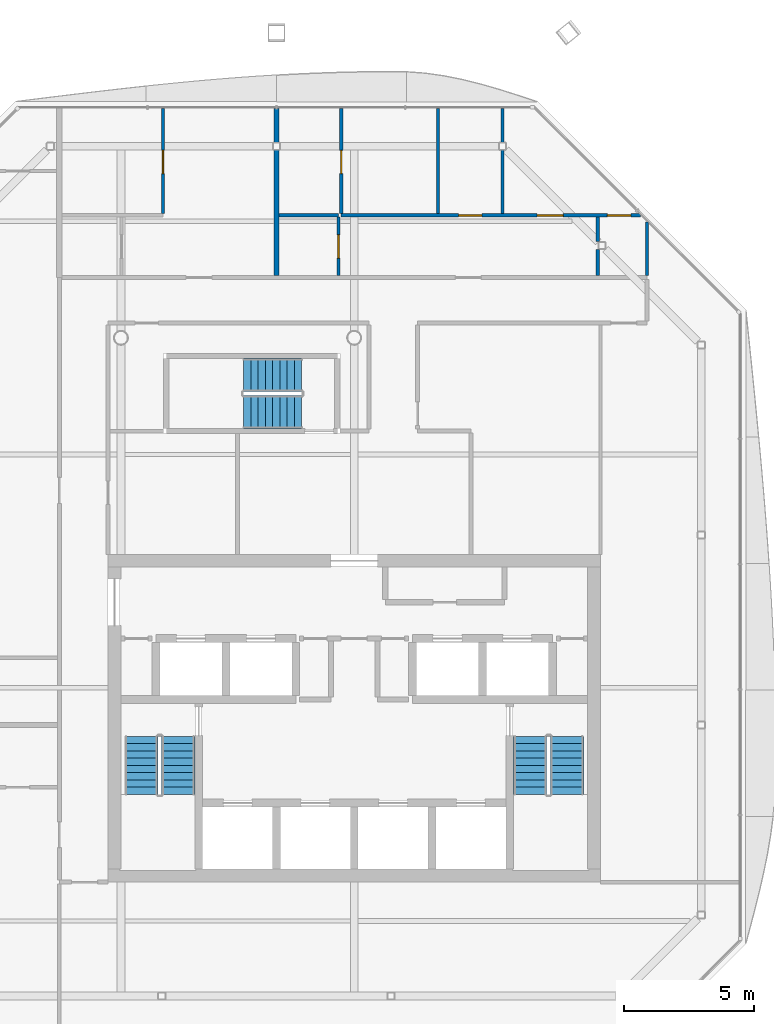
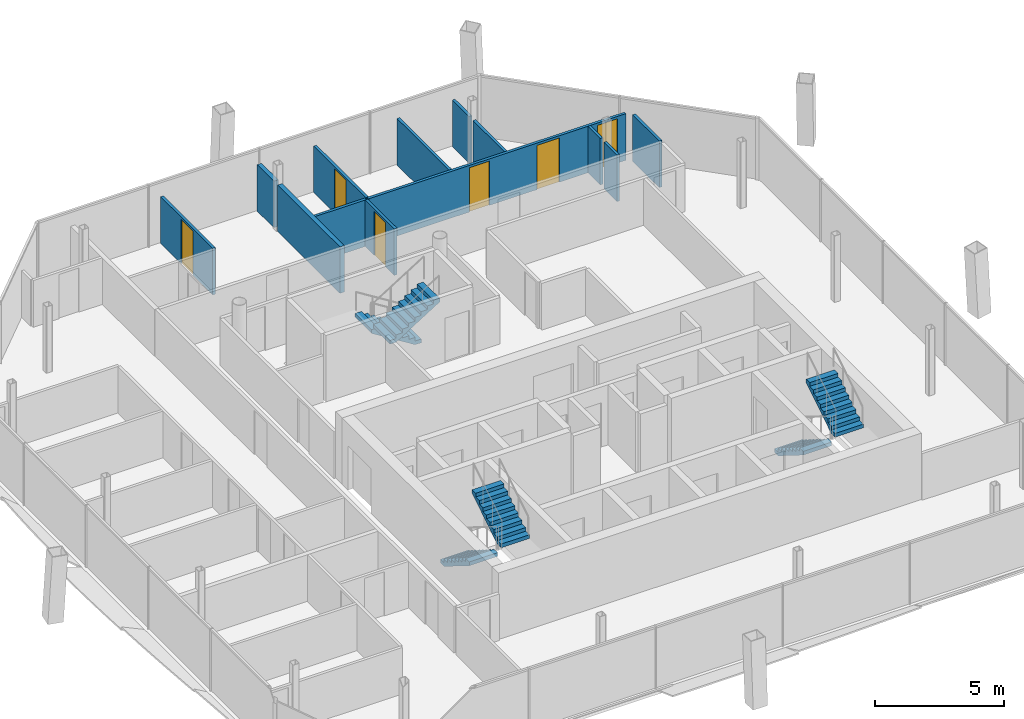
# One storey, part 12 of 15: 13 walls, 6 doors, 6 stair flights, 6 openings, 3 elements without a shape of their own.
"""IFC4 building model written with IfcOpenShell, lengths in metres."""

import ifcopenshell
import ifcopenshell.guid

model = None  # the IFC model being written
_history = None  # IfcOwnerHistory: only IFC2X3 demands one
_inside = {}  # id of a spatial element -> (the spatial element, [elements in it])
_under = {}  # id of a project, library or spatial element -> (it, [spatial elements below it])
_declared = {}  # id of a project -> (the project, [libraries it declares])
_typed = {}  # id of a type object -> (the type object, [elements of that type])
_made_of = {}  # id of a material, layer set ... -> (it, [elements and type objects made of it])


def new_model(schema):
    """Start an empty IFC model of exactly this schema.

    Asked for "IFC4X3", IfcOpenShell would pick the latest addendum, in which some entities
    have other attributes; the version numbers below select the first issue.
    IFC2X3 requires an IfcOwnerHistory on every rooted entity: one is made here for all.
    """
    global model, _history
    if schema == "IFC4X3":
        model = ifcopenshell.file(schema_version=(4, 3, 0, 0))
    else:
        model = ifcopenshell.file(schema=schema)
    _inside.clear()
    _under.clear()
    _declared.clear()
    _typed.clear()
    _made_of.clear()
    _history = None
    if model.schema == "IFC2X3":
        org = make("IfcOrganization", Name="unknown")
        user = make(
            "IfcPersonAndOrganization",
            ThePerson=make("IfcPerson", FamilyName="unknown"),
            TheOrganization=org,
        )
        app = make(
            "IfcApplication",
            ApplicationDeveloper=org,
            Version="unknown",
            ApplicationFullName="unknown",
            ApplicationIdentifier="unknown",
        )
        _history = make(
            "IfcOwnerHistory",
            OwningUser=user,
            OwningApplication=app,
            ChangeAction="ADDED",
            CreationDate=0,
        )
    return model


def make(cls, **values):
    """One entity of the class cls with the attributes given. An attribute that is None is left unset."""
    return model.create_entity(
        cls, **{name: value for name, value in values.items() if value is not None}
    )


def rooted(cls, **values):
    """An entity with a GlobalId (a new one), such as an element, a storey or a relation."""
    return make(cls, GlobalId=ifcopenshell.guid.new(), OwnerHistory=_history, **values)


def si_unit(unit_type, name, prefix=None):
    """IfcSIUnit, for example si_unit("LENGTHUNIT", "METRE", prefix="MILLI")."""
    return make("IfcSIUnit", UnitType=unit_type, Prefix=prefix, Name=name)


def assignment(units):
    """IfcUnitAssignment: the units of a project."""
    return None if units is None else make("IfcUnitAssignment", Units=units)


def point(xyz):
    """IfcCartesianPoint."""
    return None if xyz is None else make("IfcCartesianPoint", Coordinates=xyz)


def direction(xyz):
    """IfcDirection."""
    return None if xyz is None else make("IfcDirection", DirectionRatios=xyz)


def frame(location, z_axis=None, x_axis=None):
    """IfcAxis2Placement3D, a coordinate frame: its origin and axes. An axis left out is left unset."""
    return make(
        "IfcAxis2Placement3D",
        Location=point(location),
        Axis=direction(z_axis),
        RefDirection=direction(x_axis),
    )


def frame_2d(location, x_axis=None):
    """IfcAxis2Placement2D, a coordinate frame in the plane: its origin and x axis."""
    return make(
        "IfcAxis2Placement2D", Location=point(location), RefDirection=direction(x_axis)
    )


def origin():
    """The frame at (0, 0, 0) with its axes left unset."""
    return frame((0.0, 0.0, 0.0))


def place(relative_to, where):
    """IfcLocalPlacement: puts the frame where relative to a parent placement (None: the world)."""
    return make(
        "IfcLocalPlacement", PlacementRelTo=relative_to, RelativePlacement=where
    )


def context(
    kind, dimensions, precision=None, world=None, true_north=None, identifier=None
):
    """IfcGeometricRepresentationContext, for example the 3D "Model" context."""
    return make(
        "IfcGeometricRepresentationContext",
        ContextIdentifier=identifier,
        ContextType=kind,
        CoordinateSpaceDimension=dimensions,
        Precision=precision,
        WorldCoordinateSystem=world,
        TrueNorth=true_north,
    )


def subcontext(parent, identifier, kind, view, scale=None):
    """IfcGeometricRepresentationSubContext, for example "Body" below "Model"."""
    return make(
        "IfcGeometricRepresentationSubContext",
        ContextIdentifier=identifier,
        ContextType=kind,
        ParentContext=parent,
        TargetScale=scale,
        TargetView=view,
    )


def project(units=None, contexts=None):
    """IfcProject with its units and contexts."""
    return rooted(
        "IfcProject",
        Name="project",
        RepresentationContexts=contexts,
        UnitsInContext=assignment(units),
    )


def spatial(cls, under=None, at=None, **own):
    """A site, building, storey or space (cls), placed at a placement, below another one or the project."""
    s = rooted(cls, ObjectPlacement=at, **own)
    if under is not None:
        _under.setdefault(under.id(), (under, []))[1].append(s)
    return s


def polyline(points):
    """IfcPolyline through the points."""
    return make("IfcPolyline", Points=[point(p) for p in points])


def profile(cls, at=None, kind="AREA", **sizes):
    """A parametric profile (cls). Its sizes go by their IFC names, for example OverallWidth=200.0."""
    return make(cls, ProfileType=kind, Position=at, **sizes)


def rectangle(**sizes):
    """IfcRectangleProfileDef."""
    return profile("IfcRectangleProfileDef", **sizes)


def outline(outer, holes=None, kind="AREA"):
    """IfcArbitraryClosedProfileDef: a profile drawn as a closed curve; with holes, ...WithVoids."""
    if holes is None:
        return make("IfcArbitraryClosedProfileDef", ProfileType=kind, OuterCurve=outer)
    return make(
        "IfcArbitraryProfileDefWithVoids",
        ProfileType=kind,
        OuterCurve=outer,
        InnerCurves=holes,
    )


def extrude(swept, where, along, depth):
    """IfcExtrudedAreaSolid: the profile swept, set in the frame where, extruded along a direction by depth."""
    return make(
        "IfcExtrudedAreaSolid",
        SweptArea=swept,
        Position=where,
        ExtrudedDirection=direction(along),
        Depth=depth,
    )


def shape(context_of_items, identifier, shape_type, items):
    """IfcShapeRepresentation: the items that make up one representation, for example the "Body"."""
    return make(
        "IfcShapeRepresentation",
        ContextOfItems=context_of_items,
        RepresentationIdentifier=identifier,
        RepresentationType=shape_type,
        Items=items,
    )


def material(Name=None, Category=None):
    """IfcMaterial."""
    return make("IfcMaterial", Name=Name, Category=Category)


def layer(
    of_material, thickness, ventilated=None, Name=None, Category=None, Priority=None
):
    """IfcMaterialLayer: one layer of a wall or slab, of a material (None: an air gap)."""
    return make(
        "IfcMaterialLayer",
        Material=of_material,
        LayerThickness=thickness,
        IsVentilated=ventilated,
        Name=Name,
        Category=Category,
        Priority=Priority,
    )


def layer_set(layers, Name=None):
    """IfcMaterialLayerSet."""
    return make("IfcMaterialLayerSet", MaterialLayers=layers, LayerSetName=Name)


def made_of(thing, what):
    """Note that an element or type object is made of a material, layer set ...; save() writes the relation."""
    if what is not None:
        _made_of.setdefault(what.id(), (what, []))[1].append(thing)
    return thing


def type_object(cls, material=None, **own):
    """A type object (cls), such as IfcWallType, which elements share."""
    return made_of(rooted(cls, **own), material)


def element(
    cls,
    number,
    at=None,
    inside=None,
    cuts=None,
    type_object=None,
    material=None,
    context=None,
    identifier="Body",
    shape_type=None,
    held_by="IfcProductDefinitionShape",
    body=None,
    shapes=None,
    **own,
):
    """One element of the class cls, such as IfcWall. Its Tag is "e" and its number.

    at: its placement. inside: the storey or other place that contains it. cuts: it is an
    opening in that element (IfcRelVoidsElement). A single representation is given by context,
    identifier, shape_type and body (its items); several are given by shapes. held_by: the class
    of the entity that holds the representations. save() writes the other relations.
    """
    e = rooted(cls, Tag="e%d" % number, ObjectPlacement=at, **own)
    if body is not None:
        shapes = [shape(context, identifier, shape_type, body)]
    if shapes is not None:
        e.Representation = make(held_by, Representations=shapes)
    if inside is not None:
        _inside.setdefault(inside.id(), (inside, []))[1].append(e)
    if cuts is not None:
        rooted(
            "IfcRelVoidsElement", RelatingBuildingElement=cuts, RelatedOpeningElement=e
        )
    if type_object is not None:
        _typed.setdefault(type_object.id(), (type_object, []))[1].append(e)
    return made_of(e, material)


def fill(opening, filler):
    """IfcRelFillsElement: the door or window that sits in an opening."""
    return rooted(
        "IfcRelFillsElement",
        RelatingOpeningElement=opening,
        RelatedBuildingElement=filler,
    )


def aggregate(whole, parts):
    """IfcRelAggregates: a whole, such as a stair, and the parts it consists of."""
    return rooted("IfcRelAggregates", RelatingObject=whole, RelatedObjects=parts)


def save(model, path):
    """Write the relations noted so far, then the file.

    IfcRelAggregates (storeys below a building ...), IfcRelContainedInSpatialStructure (elements
    in a storey), IfcRelDefinesByType, IfcRelAssociatesMaterial and IfcRelDeclares: one each for
    every whole, place, type object, material and project.
    """
    for whole, parts in _under.values():
        aggregate(whole, parts)
    for where, things in _inside.values():
        rooted(
            "IfcRelContainedInSpatialStructure",
            RelatedElements=things,
            RelatingStructure=where,
        )
    for kind, things in _typed.values():
        rooted("IfcRelDefinesByType", RelatedObjects=things, RelatingType=kind)
    for what, things in _made_of.values():
        rooted("IfcRelAssociatesMaterial", RelatedObjects=things, RelatingMaterial=what)
    for by, libraries in _declared.values():
        rooted("IfcRelDeclares", RelatingContext=by, RelatedDefinitions=libraries)
    model.write(path)


model = new_model("IFC4")

# Units and contexts
model_context = context("Model", 3, precision=1e-05, world=origin(), true_north=direction((0.0, 1.0)))
body_context = subcontext(model_context, "Body", "Model", "MODEL_VIEW")
ifc_project = project(units=[si_unit("LENGTHUNIT", "METRE"), si_unit("AREAUNIT", "SQUARE_METRE"), si_unit("VOLUMEUNIT", "CUBIC_METRE"), si_unit("PLANEANGLEUNIT", "RADIAN"), si_unit("MASSUNIT", "GRAM", prefix="KILO")], contexts=[model_context])

# Site, building, storey
site_placement = place(None, origin())
site = spatial("IfcSite", under=ifc_project, at=site_placement, CompositionType="ELEMENT")
building_placement = place(site_placement, origin())
building = spatial("IfcBuilding", under=site, at=building_placement, Name="Tskaro Facet Tower", CompositionType="ELEMENT")
storey_placement = place(building_placement, frame((0.0, 0.0, 239.25)))
storey = spatial("IfcBuildingStorey", under=building, at=storey_placement, Name="L62", CompositionType="ELEMENT", Elevation=239.25)

# Wall
ifc_material_1 = material(Name="Gypsum board on steel studs", Category="steel")
ifc_layer_1 = layer(ifc_material_1, 0.125, Name="Gypsum board on steel studs")
ifc_layer_set_1 = layer_set([ifc_layer_1], Name="Gypsum board on steel studs")
wall_type_1 = type_object("IfcWallType", Name="PART", PredefinedType="PARTITIONING", material=ifc_layer_set_1)
wall_1_placement = place(storey_placement, frame((-2.89990234375, 13.72509765625, 0.0), z_axis=(0.0, 0.0, 1.0), x_axis=(1.0, 0.0, 0.0)))
element("IfcWall", 1, at=wall_1_placement, inside=storey, type_object=wall_type_1, Name="Partition W036", PredefinedType="PARTITIONING", context=body_context, shape_type="SweptSolid", body=[
    extrude(rectangle(XDim=2.2998046875, YDim=0.125, at=frame_2d((1.14990234375, 0.0))), origin(), (0.0, 0.0, 1.0), 2.2099609375),
])

# Wall, openings, doors
wall_2_placement = place(storey_placement, frame((-0.5, 13.72509765625, 0.0), z_axis=(0.0, 0.0, 1.0), x_axis=(1.0, 0.0, 0.0)))
wall_2 = element("IfcWall", 2, at=wall_2_placement, inside=storey, type_object=wall_type_1, Name="Partition W037", PredefinedType="PARTITIONING", context=body_context, shape_type="SweptSolid", body=[
    extrude(rectangle(XDim=11.5419921875, YDim=0.125, at=frame_2d((5.77099609375, 0.0))), origin(), (0.0, 0.0, 1.0), 2.2099609375),
])
opening_1_placement = place(wall_2_placement, frame((4.530029296875, 0.0, 0.0)))
opening_1 = element("IfcOpeningElement", 3, at=opening_1_placement, cuts=wall_2, Name="Opening T18-D27", PredefinedType="OPENING", context=body_context, shape_type="SweptSolid", body=[
    extrude(rectangle(XDim=0.89990234375, YDim=2.10009765625, at=frame_2d((0.449951171875, 1.050048828125))), frame((0.0, 0.072509765625, 0.0), z_axis=(0.0, -1.0, 0.0), x_axis=(1.0, 0.0, 0.0)), (0.0, 0.0, 1.0), 0.14501953125),
])
opening_2_placement = place(wall_2_placement, frame((7.5625, 0.0, 0.0)))
opening_2 = element("IfcOpeningElement", 4, at=opening_2_placement, cuts=wall_2, Name="Opening T18-D28", PredefinedType="OPENING", context=body_context, shape_type="SweptSolid", body=[
    extrude(rectangle(XDim=1.0, YDim=2.10009765625, at=frame_2d((0.5, 1.050048828125))), frame((0.0, 0.072509765625, 0.0), z_axis=(0.0, -1.0, 0.0), x_axis=(1.0, 0.0, 0.0)), (0.0, 0.0, 1.0), 0.14501953125),
])
opening_3_placement = place(wall_2_placement, frame((10.27099609375, 0.0, 0.0)))
opening_3 = element("IfcOpeningElement", 5, at=opening_3_placement, cuts=wall_2, Name="Opening T18-D29", PredefinedType="OPENING", context=body_context, shape_type="SweptSolid", body=[
    extrude(rectangle(XDim=0.89990234375, YDim=2.10009765625, at=frame_2d((0.449951171875, 1.050048828125))), frame((0.0, 0.072509765625, 0.0), z_axis=(0.0, -1.0, 0.0), x_axis=(1.0, 0.0, 0.0)), (0.0, 0.0, 1.0), 0.14501953125),
])
ifc_material_2 = material(Name="Timber", Category="wood")
door_type_1 = type_object("IfcDoorType", Name="D-ROOM", OperationType="NOTDEFINED", PredefinedType="DOOR", material=ifc_material_2)
door_1_placement = place(opening_1_placement, origin())
door_1 = element("IfcDoor", 6, at=door_1_placement, inside=storey, type_object=door_type_1, Name="Door T18-D27", OperationType="SINGLE_SWING_LEFT", OverallHeight=2.10009765625, OverallWidth=0.89990234375, PredefinedType="DOOR", context=body_context, shape_type="SweptSolid", body=[
    extrude(rectangle(XDim=0.89990234375, YDim=2.10009765625, at=frame_2d((0.449951171875, 1.050048828125))), frame((0.0, 0.02490234375, 0.0), z_axis=(0.0, -1.0, 0.0), x_axis=(1.0, 0.0, 0.0)), (0.0, 0.0, 1.0), 0.050048828125),
])
fill(opening_1, door_1)
door_2_placement = place(opening_3_placement, origin())
door_2 = element("IfcDoor", 7, at=door_2_placement, inside=storey, type_object=door_type_1, Name="Door T18-D29", OperationType="SINGLE_SWING_LEFT", OverallHeight=2.10009765625, OverallWidth=0.89990234375, PredefinedType="DOOR", context=body_context, shape_type="SweptSolid", body=[
    extrude(rectangle(XDim=0.89990234375, YDim=2.10009765625, at=frame_2d((0.449951171875, 1.050048828125))), frame((0.0, 0.02490234375, 0.0), z_axis=(0.0, -1.0, 0.0), x_axis=(1.0, 0.0, 0.0)), (0.0, 0.0, 1.0), 0.050048828125),
])
fill(opening_3, door_2)
door_type_2 = type_object("IfcDoorType", Name="D-ROOM-WIDE", OperationType="NOTDEFINED", PredefinedType="DOOR", material=ifc_material_2)
door_3_placement = place(opening_2_placement, origin())
door_3 = element("IfcDoor", 8, at=door_3_placement, inside=storey, type_object=door_type_2, Name="Door T18-D28", OperationType="SINGLE_SWING_LEFT", OverallHeight=2.10009765625, OverallWidth=1.0, PredefinedType="DOOR", context=body_context, shape_type="SweptSolid", body=[
    extrude(rectangle(XDim=1.0, YDim=2.10009765625, at=frame_2d((0.5, 1.050048828125))), frame((0.0, 0.02490234375, 0.0), z_axis=(0.0, -1.0, 0.0), x_axis=(1.0, 0.0, 0.0)), (0.0, 0.0, 1.0), 0.050048828125),
])
fill(opening_2, door_3)

# Wall, opening, door
wall_3_placement = place(storey_placement, frame((-7.375, 13.78759765625, 0.0), z_axis=(0.0, 0.0, 1.0), x_axis=(0.0, 1.0, 0.0)))
wall_3 = element("IfcWall", 9, at=wall_3_placement, inside=storey, type_object=wall_type_1, Name="Partition W047", PredefinedType="PARTITIONING", context=body_context, shape_type="SweptSolid", body=[
    extrude(rectangle(XDim=4.051513671875, YDim=0.125, at=frame_2d((2.02587890625, 0.0))), origin(), (0.0, 0.0, 1.0), 2.2099609375),
])
opening_4_placement = place(wall_3_placement, frame((1.54443359375, 0.0, 0.0)))
opening_4 = element("IfcOpeningElement", 10, at=opening_4_placement, cuts=wall_3, Name="Opening T18-D31", PredefinedType="OPENING", context=body_context, shape_type="SweptSolid", body=[
    extrude(rectangle(XDim=0.89990234375, YDim=2.10009765625, at=frame_2d((0.449951171875, 1.050048828125))), frame((0.0, 0.072509765625, 0.0), z_axis=(0.0, -1.0, 0.0), x_axis=(1.0, 0.0, 0.0)), (0.0, 0.0, 1.0), 0.14501953125),
])
door_4_placement = place(opening_4_placement, origin())
door_4 = element("IfcDoor", 11, at=door_4_placement, inside=storey, type_object=door_type_1, Name="Door T18-D31", OperationType="SINGLE_SWING_RIGHT", OverallHeight=2.10009765625, OverallWidth=0.89990234375, PredefinedType="DOOR", context=body_context, shape_type="SweptSolid", body=[
    extrude(rectangle(XDim=0.89990234375, YDim=2.10009765625, at=frame_2d((0.449951171875, 1.050048828125))), frame((0.0, 0.02490234375, 0.0), z_axis=(0.0, -1.0, 0.0), x_axis=(1.0, 0.0, 0.0)), (0.0, 0.0, 1.0), 0.050048828125),
])
fill(opening_4, door_4)

wall_4_placement = place(storey_placement, frame((-0.60009765625, 11.39990234375, 0.0), z_axis=(0.0, 0.0, 1.0), x_axis=(0.0, 1.0, 0.0)))
wall_4 = element("IfcWall", 12, at=wall_4_placement, inside=storey, type_object=wall_type_1, Name="Partition W058", PredefinedType="PARTITIONING", context=body_context, shape_type="SweptSolid", body=[
    extrude(rectangle(XDim=2.2626953125, YDim=0.125, at=frame_2d((1.13134765625, 0.0))), origin(), (0.0, 0.0, 1.0), 2.2099609375),
])
opening_5_placement = place(wall_4_placement, frame((0.675048828125, 0.0, 0.0)))
opening_5 = element("IfcOpeningElement", 13, at=opening_5_placement, cuts=wall_4, Name="Opening T18-D26", PredefinedType="OPENING", context=body_context, shape_type="SweptSolid", body=[
    extrude(rectangle(XDim=0.89990234375, YDim=2.10009765625, at=frame_2d((0.449951171875, 1.050048828125))), frame((0.0, 0.072509765625, 0.0), z_axis=(0.0, -1.0, 0.0), x_axis=(1.0, 0.0, 0.0)), (0.0, 0.0, 1.0), 0.14501953125),
])
door_5_placement = place(opening_5_placement, origin())
door_5 = element("IfcDoor", 14, at=door_5_placement, inside=storey, type_object=door_type_1, Name="Door T18-D26", OperationType="SINGLE_SWING_LEFT", OverallHeight=2.10009765625, OverallWidth=0.89990234375, PredefinedType="DOOR", context=body_context, shape_type="SweptSolid", body=[
    extrude(rectangle(XDim=0.89990234375, YDim=2.10009765625, at=frame_2d((0.449951171875, 1.050048828125))), frame((0.0, 0.02490234375, 0.0), z_axis=(0.0, -1.0, 0.0), x_axis=(1.0, 0.0, 0.0)), (0.0, 0.0, 1.0), 0.050048828125),
])
fill(opening_5, door_5)

wall_5_placement = place(storey_placement, frame((-0.5, 17.839111328125, 0.0), z_axis=(0.0, 0.0, 1.0), x_axis=(0.0, -1.0, 0.0)))
wall_5 = element("IfcWall", 15, at=wall_5_placement, inside=storey, type_object=wall_type_1, Name="Partition W059", PredefinedType="PARTITIONING", context=body_context, shape_type="SweptSolid", body=[
    extrude(rectangle(XDim=4.051513671875, YDim=0.125, at=frame_2d((2.02587890625, 0.0))), origin(), (0.0, 0.0, 1.0), 2.2099609375),
])
opening_6_placement = place(wall_5_placement, frame((1.60693359375, 0.0, 0.0)))
opening_6 = element("IfcOpeningElement", 16, at=opening_6_placement, cuts=wall_5, Name="Opening T18-D32", PredefinedType="OPENING", context=body_context, shape_type="SweptSolid", body=[
    extrude(rectangle(XDim=0.89990234375, YDim=2.10009765625, at=frame_2d((0.449951171875, 1.050048828125))), frame((0.0, 0.072509765625, 0.0), z_axis=(0.0, -1.0, 0.0), x_axis=(1.0, 0.0, 0.0)), (0.0, 0.0, 1.0), 0.14501953125),
])
door_6_placement = place(opening_6_placement, origin())
door_6 = element("IfcDoor", 17, at=door_6_placement, inside=storey, type_object=door_type_1, Name="Door T18-D32", OperationType="SINGLE_SWING_LEFT", OverallHeight=2.10009765625, OverallWidth=0.89990234375, PredefinedType="DOOR", context=body_context, shape_type="SweptSolid", body=[
    extrude(rectangle(XDim=0.89990234375, YDim=2.10009765625, at=frame_2d((0.449951171875, 1.050048828125))), frame((0.0, 0.02490234375, 0.0), z_axis=(0.0, -1.0, 0.0), x_axis=(1.0, 0.0, 0.0)), (0.0, 0.0, 1.0), 0.050048828125),
])
fill(opening_6, door_6)

# Walls
wall_6_placement = place(storey_placement, frame((3.235107421875, 13.78759765625, 0.0), z_axis=(0.0, 0.0, 1.0), x_axis=(0.0, 1.0, 0.0)))
element("IfcWall", 18, at=wall_6_placement, inside=storey, type_object=wall_type_1, Name="Partition W067", PredefinedType="PARTITIONING", context=body_context, shape_type="SweptSolid", body=[
    extrude(rectangle(XDim=4.051513671875, YDim=0.125, at=frame_2d((2.02587890625, 0.0))), origin(), (0.0, 0.0, 1.0), 2.2099609375),
])
wall_7_placement = place(storey_placement, frame((5.72509765625, 13.78759765625, 0.0), z_axis=(0.0, 0.0, 1.0), x_axis=(0.0, 1.0, 0.0)))
element("IfcWall", 19, at=wall_7_placement, inside=storey, type_object=wall_type_1, Name="Partition W070", PredefinedType="PARTITIONING", context=body_context, shape_type="SweptSolid", body=[
    extrude(rectangle(XDim=2.453369140625, YDim=0.125, at=frame_2d((1.2265625, 0.0))), origin(), (0.0, 0.0, 1.0), 2.2099609375),
])
wall_8_placement = place(storey_placement, frame((5.72509765625, 16.541015625, 0.0), z_axis=(0.0, 0.0, 1.0), x_axis=(0.0, 1.0, 0.0)))
element("IfcWall", 20, at=wall_8_placement, inside=storey, type_object=wall_type_1, Name="Partition W071", PredefinedType="PARTITIONING", context=body_context, shape_type="SweptSolid", body=[
    extrude(rectangle(XDim=1.298095703125, YDim=0.125, at=frame_2d((0.64892578125, 0.0))), origin(), (0.0, 0.0, 1.0), 2.2099609375),
])
wall_9_placement = place(storey_placement, frame((9.39990234375, 11.39990234375, 0.0), z_axis=(0.0, 0.0, 1.0), x_axis=(0.0, 1.0, 0.0)))
element("IfcWall", 21, at=wall_9_placement, inside=storey, type_object=wall_type_1, Name="Partition W075", PredefinedType="PARTITIONING", context=body_context, shape_type="SweptSolid", body=[
    extrude(rectangle(XDim=1.008056640625, YDim=0.125, at=frame_2d((0.50390625, 0.0))), origin(), (0.0, 0.0, 1.0), 2.2099609375),
])
wall_10_placement = place(storey_placement, frame((9.39990234375, 12.7080078125, 0.0), z_axis=(0.0, 0.0, 1.0), x_axis=(0.0, 1.0, 0.0)))
element("IfcWall", 22, at=wall_10_placement, inside=storey, type_object=wall_type_1, Name="Partition W076", PredefinedType="PARTITIONING", context=body_context, shape_type="SweptSolid", body=[
    extrude(rectangle(XDim=0.95458984375, YDim=0.125, at=frame_2d((0.477294921875, 0.0))), origin(), (0.0, 0.0, 1.0), 2.2099609375),
])
wall_11_placement = place(storey_placement, frame((11.300048828125, 11.39990234375, 0.0), z_axis=(0.0, 0.0, 1.0), x_axis=(0.0, 1.0, 0.0)))
element("IfcWall", 23, at=wall_11_placement, inside=storey, type_object=wall_type_1, Name="Partition W079", PredefinedType="PARTITIONING", context=body_context, shape_type="SweptSolid", body=[
    extrude(rectangle(XDim=2.067138671875, YDim=0.125, at=frame_2d((1.03369140625, 0.0))), origin(), (0.0, 0.0, 1.0), 2.2099609375),
])
ifc_layer_2 = layer(ifc_material_1, 0.199951171875, Name="Gypsum board on steel studs")
ifc_layer_set_2 = layer_set([ifc_layer_2], Name="Gypsum board on steel studs")
wall_type_2 = type_object("IfcWallType", Name="PART-DEMISING", PredefinedType="PARTITIONING", material=ifc_layer_set_2)
wall_12_placement = place(storey_placement, frame((-3.0, 11.39990234375, 0.0), z_axis=(0.0, 0.0, 1.0), x_axis=(0.0, 1.0, 0.0)))
element("IfcWall", 24, at=wall_12_placement, inside=storey, type_object=wall_type_2, Name="Guest room wall W053", PredefinedType="PARTITIONING", context=body_context, shape_type="SweptSolid", body=[
    extrude(rectangle(XDim=4.841064453125, YDim=0.199951171875, at=frame_2d((2.42041015625, 0.0))), origin(), (0.0, 0.0, 1.0), 2.2099609375),
])
wall_13_placement = place(storey_placement, frame((-3.0, 16.541015625, 0.0), z_axis=(0.0, 0.0, 1.0), x_axis=(0.0, 1.0, 0.0)))
element("IfcWall", 25, at=wall_13_placement, inside=storey, type_object=wall_type_2, Name="Guest room wall W054", PredefinedType="PARTITIONING", context=body_context, shape_type="SweptSolid", body=[
    extrude(rectangle(XDim=1.298095703125, YDim=0.199951171875, at=frame_2d((0.64892578125, 0.0))), origin(), (0.0, 0.0, 1.0), 2.2099609375),
])

# Stair, stair flights
ifc_material_3 = material(Name="Concrete C40/50", Category="concrete")
stair_type = type_object("IfcStairType", Name="ST-TWR", PredefinedType="HALF_TURN_STAIR", material=ifc_material_3)
stair_1_placement = place(storey_placement, origin())
stair_1 = element("IfcStair", 26, at=stair_1_placement, inside=storey, type_object=stair_type, Name="L62 Exit stair 1", PredefinedType="HALF_TURN_STAIR")
stair_flight_type = type_object("IfcStairFlightType", Name="SFL-RC", PredefinedType="STRAIGHT", material=ifc_material_3)
stair_flight_1_placement = place(storey_placement, frame((-8.21240234375, -6.375, 0.0), z_axis=(0.0, 0.0, 1.0), x_axis=(0.0, -1.0, 0.0)))
stair_flight_1 = element("IfcStairFlight", 27, at=stair_flight_1_placement, type_object=stair_flight_type, Name="ST-1 flight 1", NumberOfRisers=9, NumberOfTreads=8, PredefinedType="STRAIGHT", RiserHeight=0.175, TreadLength=0.28, context=body_context, shape_type="SweptSolid", body=[
    extrude(outline(polyline([(0.0, 0.0), (0.0, 0.175048828125), (0.280029296875, 0.175048828125), (0.280029296875, 0.35009765625), (0.56005859375, 0.35009765625), (0.56005859375, 0.52490234375), (0.840087890625, 0.52490234375), (0.840087890625, 0.699951171875), (1.1201171875, 0.699951171875), (1.1201171875, 0.875), (1.39990234375, 0.875), (1.39990234375, 1.050048828125), (1.679931640625, 1.050048828125), (1.679931640625, 1.22509765625), (1.9599609375, 1.22509765625), (1.9599609375, 1.39990234375), (2.239990234375, 1.39990234375), (2.239990234375, 1.574951171875), (2.239990234375, 1.22314453125), (0.28271484375, 0.0), (0.0, 0.0)])), frame((0.0, 0.637451171875, 0.0), z_axis=(0.0, -1.0, 0.0), x_axis=(1.0, 0.0, 0.0)), (0.0, 0.0, 1.0), 1.27490234375),
])
stair_flight_2_placement = place(storey_placement, frame((-6.78759765625, -8.614990234375, 1.574951171875), z_axis=(0.0, 0.0, 1.0), x_axis=(0.0, 1.0, 0.0)))
stair_flight_2 = element("IfcStairFlight", 28, at=stair_flight_2_placement, type_object=stair_flight_type, Name="ST-1 flight 2", NumberOfRisers=9, NumberOfTreads=8, PredefinedType="STRAIGHT", RiserHeight=0.175, TreadLength=0.28, context=body_context, shape_type="SweptSolid", body=[
    extrude(outline(polyline([(0.0, 0.0), (0.0, 0.175048828125), (0.280029296875, 0.175048828125), (0.280029296875, 0.35009765625), (0.56005859375, 0.35009765625), (0.56005859375, 0.52490234375), (0.840087890625, 0.52490234375), (0.840087890625, 0.699951171875), (1.1201171875, 0.699951171875), (1.1201171875, 0.875), (1.39990234375, 0.875), (1.39990234375, 1.050048828125), (1.679931640625, 1.050048828125), (1.679931640625, 1.22509765625), (1.9599609375, 1.22509765625), (1.9599609375, 1.39990234375), (2.239990234375, 1.39990234375), (2.239990234375, 1.574951171875), (2.239990234375, 1.22314453125), (0.28271484375, 0.0), (0.0, 0.0)])), frame((0.0, 0.637451171875, 0.0), z_axis=(0.0, -1.0, 0.0), x_axis=(1.0, 0.0, 0.0)), (0.0, 0.0, 1.0), 1.27490234375),
])
aggregate(stair_1, [stair_flight_1, stair_flight_2])

stair_2_placement = place(storey_placement, origin())
stair_2 = element("IfcStair", 29, at=stair_2_placement, inside=storey, type_object=stair_type, Name="L62 Exit stair 2", PredefinedType="HALF_TURN_STAIR")
stair_flight_3_placement = place(storey_placement, frame((6.78759765625, -6.375, 0.0), z_axis=(0.0, 0.0, 1.0), x_axis=(0.0, -1.0, 0.0)))
stair_flight_3 = element("IfcStairFlight", 30, at=stair_flight_3_placement, type_object=stair_flight_type, Name="ST-2 flight 1", NumberOfRisers=9, NumberOfTreads=8, PredefinedType="STRAIGHT", RiserHeight=0.175, TreadLength=0.28, context=body_context, shape_type="SweptSolid", body=[
    extrude(outline(polyline([(0.0, 0.0), (0.0, 0.175048828125), (0.280029296875, 0.175048828125), (0.280029296875, 0.35009765625), (0.56005859375, 0.35009765625), (0.56005859375, 0.52490234375), (0.840087890625, 0.52490234375), (0.840087890625, 0.699951171875), (1.1201171875, 0.699951171875), (1.1201171875, 0.875), (1.39990234375, 0.875), (1.39990234375, 1.050048828125), (1.679931640625, 1.050048828125), (1.679931640625, 1.22509765625), (1.9599609375, 1.22509765625), (1.9599609375, 1.39990234375), (2.239990234375, 1.39990234375), (2.239990234375, 1.574951171875), (2.239990234375, 1.22314453125), (0.28271484375, 0.0), (0.0, 0.0)])), frame((0.0, 0.637451171875, 0.0), z_axis=(0.0, -1.0, 0.0), x_axis=(1.0, 0.0, 0.0)), (0.0, 0.0, 1.0), 1.27490234375),
])
stair_flight_4_placement = place(storey_placement, frame((8.21240234375, -8.614990234375, 1.574951171875), z_axis=(0.0, 0.0, 1.0), x_axis=(0.0, 1.0, 0.0)))
stair_flight_4 = element("IfcStairFlight", 31, at=stair_flight_4_placement, type_object=stair_flight_type, Name="ST-2 flight 2", NumberOfRisers=9, NumberOfTreads=8, PredefinedType="STRAIGHT", RiserHeight=0.175, TreadLength=0.28, context=body_context, shape_type="SweptSolid", body=[
    extrude(outline(polyline([(0.0, 0.0), (0.0, 0.175048828125), (0.280029296875, 0.175048828125), (0.280029296875, 0.35009765625), (0.56005859375, 0.35009765625), (0.56005859375, 0.52490234375), (0.840087890625, 0.52490234375), (0.840087890625, 0.699951171875), (1.1201171875, 0.699951171875), (1.1201171875, 0.875), (1.39990234375, 0.875), (1.39990234375, 1.050048828125), (1.679931640625, 1.050048828125), (1.679931640625, 1.22509765625), (1.9599609375, 1.22509765625), (1.9599609375, 1.39990234375), (2.239990234375, 1.39990234375), (2.239990234375, 1.574951171875), (2.239990234375, 1.22314453125), (0.28271484375, 0.0), (0.0, 0.0)])), frame((0.0, 0.637451171875, 0.0), z_axis=(0.0, -1.0, 0.0), x_axis=(1.0, 0.0, 0.0)), (0.0, 0.0, 1.0), 1.27490234375),
])
aggregate(stair_2, [stair_flight_3, stair_flight_4])

stair_3_placement = place(storey_placement, origin())
stair_3 = element("IfcStair", 32, at=stair_3_placement, inside=storey, type_object=stair_type, Name="L62 Exit stair 3", PredefinedType="HALF_TURN_STAIR")
stair_flight_5_placement = place(storey_placement, frame((-2.02490234375, 7.5625, 0.0), z_axis=(0.0, 0.0, 1.0), x_axis=(-1.0, 0.0, 0.0)))
stair_flight_5 = element("IfcStairFlight", 33, at=stair_flight_5_placement, type_object=stair_flight_type, Name="ST-3 flight 1", NumberOfRisers=9, NumberOfTreads=8, PredefinedType="STRAIGHT", RiserHeight=0.175, TreadLength=0.28, context=body_context, shape_type="SweptSolid", body=[
    extrude(outline(polyline([(0.0, 0.0), (0.0, 0.175048828125), (0.280029296875, 0.175048828125), (0.280029296875, 0.35009765625), (0.56005859375, 0.35009765625), (0.56005859375, 0.52490234375), (0.840087890625, 0.52490234375), (0.840087890625, 0.699951171875), (1.1201171875, 0.699951171875), (1.1201171875, 0.875), (1.39990234375, 0.875), (1.39990234375, 1.050048828125), (1.679931640625, 1.050048828125), (1.679931640625, 1.22509765625), (1.9599609375, 1.22509765625), (1.9599609375, 1.39990234375), (2.239990234375, 1.39990234375), (2.239990234375, 1.574951171875), (2.239990234375, 1.22314453125), (0.28271484375, 0.0), (0.0, 0.0)])), frame((0.0, 0.637451171875, 0.0), z_axis=(0.0, -1.0, 0.0), x_axis=(1.0, 0.0, 0.0)), (0.0, 0.0, 1.0), 1.27490234375),
])
stair_flight_6_placement = place(storey_placement, frame((-4.264892578125, 6.137451171875, 1.574951171875), z_axis=(0.0, 0.0, 1.0), x_axis=(1.0, 0.0, 0.0)))
stair_flight_6 = element("IfcStairFlight", 34, at=stair_flight_6_placement, type_object=stair_flight_type, Name="ST-3 flight 2", NumberOfRisers=9, NumberOfTreads=8, PredefinedType="STRAIGHT", RiserHeight=0.175, TreadLength=0.28, context=body_context, shape_type="SweptSolid", body=[
    extrude(outline(polyline([(0.0, 0.0), (0.0, 0.175048828125), (0.280029296875, 0.175048828125), (0.280029296875, 0.35009765625), (0.56005859375, 0.35009765625), (0.56005859375, 0.52490234375), (0.840087890625, 0.52490234375), (0.840087890625, 0.699951171875), (1.1201171875, 0.699951171875), (1.1201171875, 0.875), (1.39990234375, 0.875), (1.39990234375, 1.050048828125), (1.679931640625, 1.050048828125), (1.679931640625, 1.22509765625), (1.9599609375, 1.22509765625), (1.9599609375, 1.39990234375), (2.239990234375, 1.39990234375), (2.239990234375, 1.574951171875), (2.239990234375, 1.22314453125), (0.28271484375, 0.0), (0.0, 0.0)])), frame((0.0, 0.637451171875, 0.0), z_axis=(0.0, -1.0, 0.0), x_axis=(1.0, 0.0, 0.0)), (0.0, 0.0, 1.0), 1.27490234375),
])
aggregate(stair_3, [stair_flight_5, stair_flight_6])

save(model, "model.ifc")
